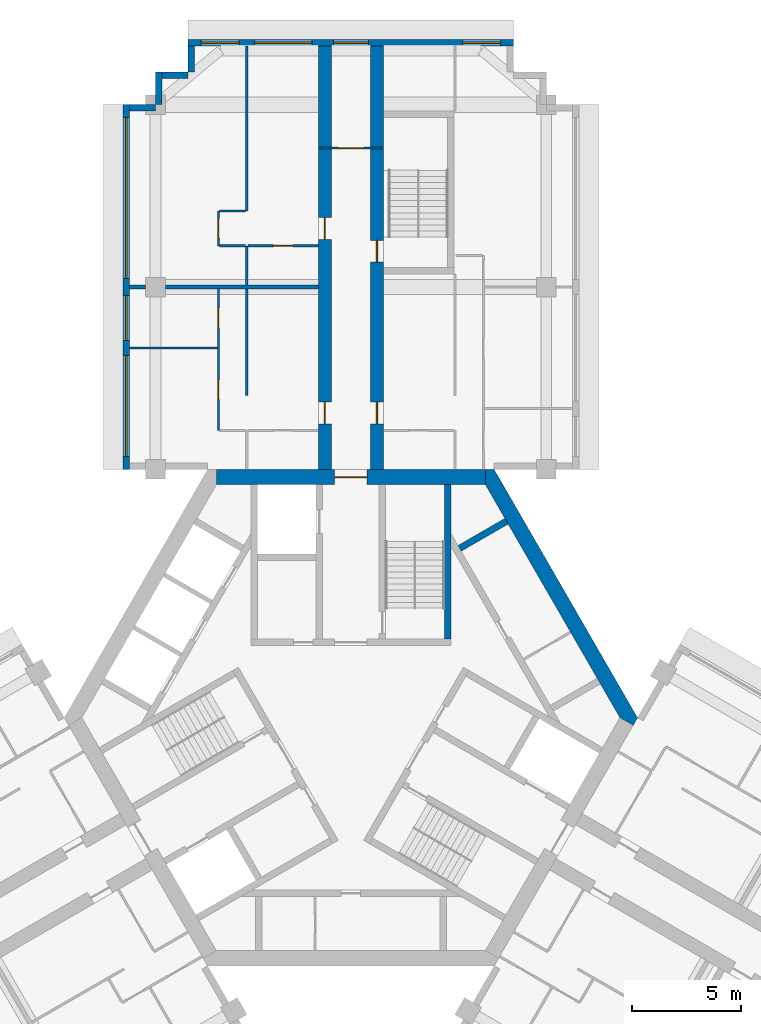
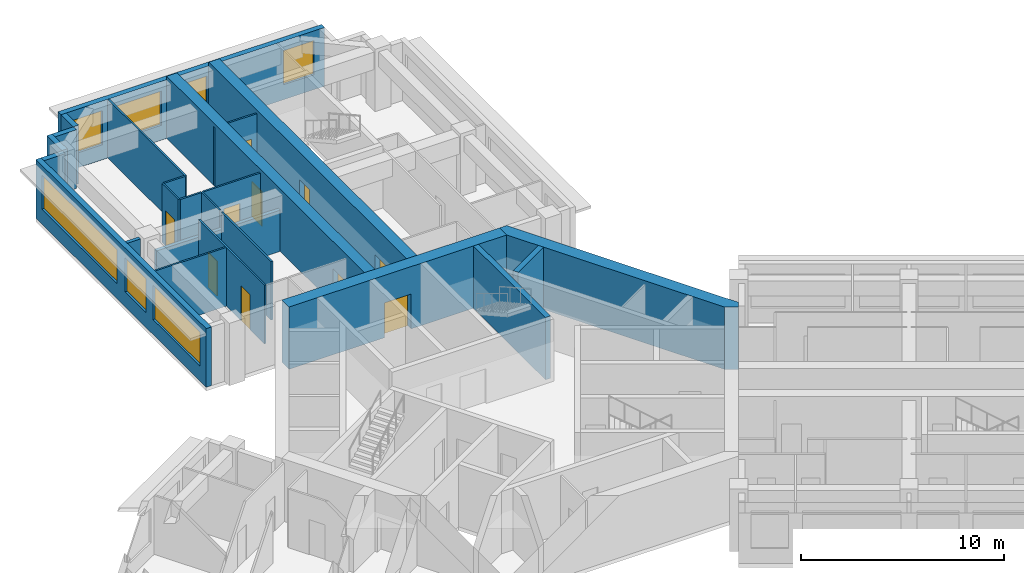
# One storey, part 7 of 10: 24 walls, 10 doors, 7 windows, 17 openings.
"""IFC4 building model written with IfcOpenShell, lengths in metres."""

from ifc_helpers import new_model, si_unit, direction, frame, frame_2d, origin, place, context, subcontext, project, spatial, polyline, rectangle, outline, extrude, material, layer, layer_set, type_object, element, fill, save


model = new_model("IFC4")

# Units and contexts
model_context = context("Model", 3, precision=1e-05, world=origin(), true_north=direction((0.0, 1.0)))
body_context = subcontext(model_context, "Body", "Model", "MODEL_VIEW")
ifc_project = project(units=[si_unit("LENGTHUNIT", "METRE"), si_unit("AREAUNIT", "SQUARE_METRE"), si_unit("VOLUMEUNIT", "CUBIC_METRE"), si_unit("PLANEANGLEUNIT", "RADIAN"), si_unit("MASSUNIT", "GRAM", prefix="KILO")], contexts=[model_context])

# Site, building, storey
site_placement = place(None, origin())
site = spatial("IfcSite", under=ifc_project, at=site_placement, CompositionType="ELEMENT")
building_placement = place(site_placement, origin())
building = spatial("IfcBuilding", under=site, at=building_placement, Name="Impinga Residences", CompositionType="ELEMENT")
storey_placement = place(building_placement, frame((0.0, 0.0, 226.0)))
storey = spatial("IfcBuildingStorey", under=building, at=storey_placement, Name="L56", CompositionType="ELEMENT", Elevation=226.0)

# Wall, openings, doors
ifc_material_1 = material(Name="Concrete C60/75", Category="concrete")
ifc_layer_1 = layer(ifc_material_1, 0.60009765625)
ifc_layer_set_1 = layer_set([ifc_layer_1], Name="Concrete C60/75")
wall_type_1 = type_object("IfcWallType", Name="BW3 corridor buttress wall, L46 to L73 600", PredefinedType="SHEAR", material=ifc_layer_set_1)
wall_1_placement = place(storey_placement, frame((-1.199951171875, 11.08154296875, 0.0), z_axis=(0.0, 0.0, 1.0), x_axis=(0.0, 1.0, 0.0)))
wall_1 = element("IfcWall", 1, at=wall_1_placement, inside=storey, type_object=wall_type_1, Name="Corridor wall BW3 NC L56", PredefinedType="SHEAR", context=body_context, shape_type="SweptSolid", body=[
    extrude(rectangle(XDim=19.85009765625, YDim=0.60009765625, at=frame_2d((9.925048828125, 0.0))), origin(), (0.0, 0.0, 1.0), 3.75),
])
opening_1_placement = place(wall_1_placement, frame((2.449951171875, 0.0, 0.0)))
opening_1 = element("IfcOpeningElement", 2, at=opening_1_placement, cuts=wall_1, Name="Opening D1", PredefinedType="OPENING", context=body_context, shape_type="SweptSolid", body=[
    extrude(rectangle(XDim=1.0, YDim=2.10009765625, at=frame_2d((0.5, 1.050048828125))), frame((0.0, 0.31005859375, 0.0), z_axis=(0.0, -1.0, 0.0), x_axis=(1.0, 0.0, 0.0)), (0.0, 0.0, 1.0), 0.6201171875),
])
opening_2_placement = place(wall_1_placement, frame((10.949951171875, 0.0, 0.0)))
opening_2 = element("IfcOpeningElement", 3, at=opening_2_placement, cuts=wall_1, Name="Opening D1", PredefinedType="OPENING", context=body_context, shape_type="SweptSolid", body=[
    extrude(rectangle(XDim=1.0, YDim=2.10009765625, at=frame_2d((0.5, 1.050048828125))), frame((0.0, 0.31005859375, 0.0), z_axis=(0.0, -1.0, 0.0), x_axis=(1.0, 0.0, 0.0)), (0.0, 0.0, 1.0), 0.6201171875),
])
ifc_material_2 = material(Name="Timber door set", Category="wood")
door_type_1 = type_object("IfcDoorType", Name="D1 apartment entrance door 1000x2100", OperationType="SINGLE_SWING_LEFT", PredefinedType="DOOR", material=ifc_material_2)
door_1_placement = place(opening_1_placement, origin())
door_1 = element("IfcDoor", 4, at=door_1_placement, inside=storey, type_object=door_type_1, Name="Apartment L56-NA1 entrance", OperationType="SINGLE_SWING_LEFT", OverallHeight=2.10009765625, OverallWidth=1.0, PredefinedType="DOOR", context=body_context, shape_type="SweptSolid", body=[
    extrude(rectangle(XDim=1.0, YDim=2.10009765625, at=frame_2d((0.5, 1.050048828125))), frame((0.0, 0.02490234375, 0.0), z_axis=(0.0, -1.0, 0.0), x_axis=(1.0, 0.0, 0.0)), (0.0, 0.0, 1.0), 0.050048828125),
])
fill(opening_1, door_1)
door_2_placement = place(opening_2_placement, origin())
door_2 = element("IfcDoor", 5, at=door_2_placement, inside=storey, type_object=door_type_1, Name="Apartment L56-NA2 entrance", OperationType="SINGLE_SWING_RIGHT", OverallHeight=2.10009765625, OverallWidth=1.0, PredefinedType="DOOR", context=body_context, shape_type="SweptSolid", body=[
    extrude(rectangle(XDim=1.0, YDim=2.10009765625, at=frame_2d((0.5, 1.050048828125))), frame((0.0, 0.02490234375, 0.0), z_axis=(0.0, -1.0, 0.0), x_axis=(1.0, 0.0, 0.0)), (0.0, 0.0, 1.0), 0.050048828125),
])
fill(opening_2, door_2)

wall_2_placement = place(storey_placement, frame((1.199951171875, 11.08154296875, 0.0), z_axis=(0.0, 0.0, 1.0), x_axis=(0.0, 1.0, 0.0)))
wall_2 = element("IfcWall", 6, at=wall_2_placement, inside=storey, type_object=wall_type_1, Name="Corridor wall BW3 ND L56", PredefinedType="SHEAR", context=body_context, shape_type="SweptSolid", body=[
    extrude(rectangle(XDim=19.85009765625, YDim=0.60009765625, at=frame_2d((9.925048828125, 0.0))), origin(), (0.0, 0.0, 1.0), 3.75),
])
opening_3_placement = place(wall_2_placement, frame((9.89990234375, 0.0, 0.0)))
opening_3 = element("IfcOpeningElement", 7, at=opening_3_placement, cuts=wall_2, Name="Opening D5", PredefinedType="OPENING", context=body_context, shape_type="SweptSolid", body=[
    extrude(rectangle(XDim=1.0, YDim=2.10009765625, at=frame_2d((0.5, 1.050048828125))), frame((0.0, 0.31005859375, 0.0), z_axis=(0.0, -1.0, 0.0), x_axis=(1.0, 0.0, 0.0)), (0.0, 0.0, 1.0), 0.6201171875),
])
opening_4_placement = place(wall_2_placement, frame((2.449951171875, 0.0, 0.0)))
opening_4 = element("IfcOpeningElement", 8, at=opening_4_placement, cuts=wall_2, Name="Opening D1", PredefinedType="OPENING", context=body_context, shape_type="SweptSolid", body=[
    extrude(rectangle(XDim=1.0, YDim=2.10009765625, at=frame_2d((0.5, 1.050048828125))), frame((0.0, 0.31005859375, 0.0), z_axis=(0.0, -1.0, 0.0), x_axis=(1.0, 0.0, 0.0)), (0.0, 0.0, 1.0), 0.6201171875),
])
door_3_placement = place(opening_4_placement, origin())
door_3 = element("IfcDoor", 9, at=door_3_placement, inside=storey, type_object=door_type_1, Name="Apartment L56-NF1 entrance", OperationType="SINGLE_SWING_LEFT", OverallHeight=2.10009765625, OverallWidth=1.0, PredefinedType="DOOR", context=body_context, shape_type="SweptSolid", body=[
    extrude(rectangle(XDim=1.0, YDim=2.10009765625, at=frame_2d((0.5, 1.050048828125))), frame((0.0, 0.02490234375, 0.0), z_axis=(0.0, -1.0, 0.0), x_axis=(1.0, 0.0, 0.0)), (0.0, 0.0, 1.0), 0.050048828125),
])
fill(opening_4, door_3)
door_type_2 = type_object("IfcDoorType", Name="D5 stair door 1000x2100", OperationType="SINGLE_SWING_LEFT", PredefinedType="DOOR", material=ifc_material_2)
door_4_placement = place(opening_3_placement, origin())
door_4 = element("IfcDoor", 10, at=door_4_placement, inside=storey, type_object=door_type_2, Name="Wing stair door N", OperationType="SINGLE_SWING_RIGHT", OverallHeight=2.10009765625, OverallWidth=1.0, PredefinedType="DOOR", context=body_context, shape_type="SweptSolid", body=[
    extrude(rectangle(XDim=1.0, YDim=2.10009765625, at=frame_2d((0.5, 1.050048828125))), frame((0.0, 0.02490234375, 0.0), z_axis=(0.0, -1.0, 0.0), x_axis=(1.0, 0.0, 0.0)), (0.0, 0.0, 1.0), 0.050048828125),
])
fill(opening_3, door_4)

# Wall, opening, door
ifc_material_3 = material(Name="Concrete blockwork", Category="masonry")
ifc_layer_2 = layer(ifc_material_3, 0.10009765625)
ifc_layer_set_2 = layer_set([ifc_layer_2], Name="CP1 core room partition, blockwork 100")
wall_type_2 = type_object("IfcWallType", Name="CP1 core room partition, blockwork 100", PredefinedType="PARTITIONING", material=ifc_layer_set_2)
wall_3_placement = place(storey_placement, frame((-1.5, 26.2314453125, 0.0), z_axis=(0.0, 0.0, 1.0), x_axis=(1.0, 0.0, 0.0)))
wall_3 = element("IfcWall", 11, at=wall_3_placement, inside=storey, type_object=wall_type_2, Name="Core room partition, blockwork L56:N:LNG", PredefinedType="PARTITIONING", context=body_context, shape_type="SweptSolid", body=[
    extrude(rectangle(XDim=3.0, YDim=0.10009765625, at=frame_2d((1.5, 0.0))), origin(), (0.0, 0.0, 1.0), 3.530029296875),
])
opening_5_placement = place(wall_3_placement, frame((0.89990234375, 0.0, 0.0)))
opening_5 = element("IfcOpeningElement", 12, at=opening_5_placement, cuts=wall_3, Name="Opening D3", PredefinedType="OPENING", context=body_context, shape_type="SweptSolid", body=[
    extrude(rectangle(XDim=1.199951171875, YDim=2.10009765625, at=frame_2d((0.60009765625, 1.050048828125))), frame((0.0, 0.06005859375, 0.0), z_axis=(0.0, -1.0, 0.0), x_axis=(1.0, 0.0, 0.0)), (0.0, 0.0, 1.0), 0.1201171875),
])
door_type_3 = type_object("IfcDoorType", Name="D3 room door, leaf and a half 1200x2100", OperationType="DOUBLE_SWING_LEFT", PredefinedType="DOOR", material=ifc_material_2)
door_5_placement = place(opening_5_placement, origin())
door_5 = element("IfcDoor", 13, at=door_5_placement, inside=storey, type_object=door_type_3, Name="Residents' lounge door N", OperationType="DOUBLE_SWING_LEFT", OverallHeight=2.10009765625, OverallWidth=1.199951171875, PredefinedType="DOOR", context=body_context, shape_type="SweptSolid", body=[
    extrude(rectangle(XDim=1.199951171875, YDim=2.10009765625, at=frame_2d((0.60009765625, 1.050048828125))), frame((0.0, 0.02490234375, 0.0), z_axis=(0.0, -1.0, 0.0), x_axis=(1.0, 0.0, 0.0)), (0.0, 0.0, 1.0), 0.050048828125),
])
fill(opening_5, door_5)

# Wall, openings, windows
ifc_material_4 = material(Name="Terracotta rainscreen on blockwork", Category="masonry")
ifc_layer_3 = layer(ifc_material_4, 0.300048828125)
ifc_layer_set_3 = layer_set([ifc_layer_3], Name="EW1 external wall, terracotta rainscreen on blockwork 300")
wall_type_3 = type_object("IfcWallType", Name="EW1 external wall, terracotta rainscreen on blockwork 300", PredefinedType="SOLIDWALL", material=ifc_layer_set_3)
wall_4_placement = place(storey_placement, frame((-10.35009765625, 11.431640625, 0.0), z_axis=(0.0, 0.0, 1.0), x_axis=(0.0, 1.0, 0.0)))
wall_4 = element("IfcWall", 14, at=wall_4_placement, inside=storey, type_object=wall_type_3, Name="External wall EW1 L56", PredefinedType="SOLIDWALL", context=body_context, shape_type="SweptSolid", body=[
    extrude(rectangle(XDim=16.7998046875, YDim=0.300048828125, at=frame_2d((8.39990234375, 0.0))), origin(), (0.0, 0.0, 1.0), 3.530029296875),
])
opening_6_placement = place(wall_4_placement, frame((0.60009765625, 0.0, 0.89990234375)))
opening_6 = element("IfcOpeningElement", 15, at=opening_6_placement, cuts=wall_4, Name="Opening W10", PredefinedType="OPENING", context=body_context, shape_type="SweptSolid", body=[
    extrude(rectangle(XDim=4.64990234375, YDim=2.050048828125, at=frame_2d((2.324951171875, 1.02490234375))), frame((0.0, 0.159912109375, 0.0), z_axis=(0.0, -1.0, 0.0), x_axis=(1.0, 0.0, 0.0)), (0.0, 0.0, 1.0), 0.320068359375),
])
opening_7_placement = place(wall_4_placement, frame((5.949951171875, 0.0, 0.89990234375)))
opening_7 = element("IfcOpeningElement", 16, at=opening_7_placement, cuts=wall_4, Name="Opening W14", PredefinedType="OPENING", context=body_context, shape_type="SweptSolid", body=[
    extrude(rectangle(XDim=2.050048828125, YDim=2.050048828125, at=frame_2d((1.02490234375, 1.02490234375))), frame((0.0, 0.159912109375, 0.0), z_axis=(0.0, -1.0, 0.0), x_axis=(1.0, 0.0, 0.0)), (0.0, 0.0, 1.0), 0.320068359375),
])
opening_8_placement = place(wall_4_placement, frame((8.800048828125, 0.0, 0.89990234375)))
opening_8 = element("IfcOpeningElement", 17, at=opening_8_placement, cuts=wall_4, Name="Opening W12", PredefinedType="OPENING", context=body_context, shape_type="SweptSolid", body=[
    extrude(rectangle(XDim=7.39990234375, YDim=2.050048828125, at=frame_2d((3.699951171875, 1.02490234375))), frame((0.0, 0.159912109375, 0.0), z_axis=(0.0, -1.0, 0.0), x_axis=(1.0, 0.0, 0.0)), (0.0, 0.0, 1.0), 0.320068359375),
])
ifc_material_5 = material(Name="Aluminium window, clear double glazing", Category="aluminium")
window_type_1 = type_object("IfcWindowType", Name="W10 ribbon window 4650x2050", PartitioningType="SINGLE_PANEL", PredefinedType="WINDOW", material=ifc_material_5)
window_1_placement = place(opening_6_placement, origin())
window_1 = element("IfcWindow", 18, at=window_1_placement, inside=storey, type_object=window_type_1, Name="Window L56", OverallHeight=2.050048828125, OverallWidth=4.64990234375, PartitioningType="SINGLE_PANEL", PredefinedType="WINDOW", context=body_context, shape_type="SweptSolid", body=[
    extrude(rectangle(XDim=4.64990234375, YDim=2.050048828125, at=frame_2d((2.324951171875, 1.02490234375))), frame((0.0, 0.030029296875, 0.0), z_axis=(0.0, -1.0, 0.0), x_axis=(1.0, 0.0, 0.0)), (0.0, 0.0, 1.0), 0.06005859375),
])
fill(opening_6, window_1)
window_type_2 = type_object("IfcWindowType", Name="W12 ribbon window 7400x2050", PartitioningType="SINGLE_PANEL", PredefinedType="WINDOW", material=ifc_material_5)
window_2_placement = place(opening_8_placement, origin())
window_2 = element("IfcWindow", 19, at=window_2_placement, inside=storey, type_object=window_type_2, Name="Window L56", OverallHeight=2.050048828125, OverallWidth=7.39990234375, PartitioningType="SINGLE_PANEL", PredefinedType="WINDOW", context=body_context, shape_type="SweptSolid", body=[
    extrude(rectangle(XDim=7.39990234375, YDim=2.050048828125, at=frame_2d((3.699951171875, 1.02490234375))), frame((0.0, 0.030029296875, 0.0), z_axis=(0.0, -1.0, 0.0), x_axis=(1.0, 0.0, 0.0)), (0.0, 0.0, 1.0), 0.06005859375),
])
fill(opening_8, window_2)
window_type_3 = type_object("IfcWindowType", Name="W14 ribbon window 2050x2050", PartitioningType="SINGLE_PANEL", PredefinedType="WINDOW", material=ifc_material_5)
window_3_placement = place(opening_7_placement, origin())
window_3 = element("IfcWindow", 20, at=window_3_placement, inside=storey, type_object=window_type_3, Name="Window L56", OverallHeight=2.050048828125, OverallWidth=2.050048828125, PartitioningType="SINGLE_PANEL", PredefinedType="WINDOW", context=body_context, shape_type="SweptSolid", body=[
    extrude(rectangle(XDim=2.050048828125, YDim=2.050048828125, at=frame_2d((1.02490234375, 1.02490234375))), frame((0.0, 0.030029296875, 0.0), z_axis=(0.0, -1.0, 0.0), x_axis=(1.0, 0.0, 0.0)), (0.0, 0.0, 1.0), 0.06005859375),
])
fill(opening_7, window_3)

# Walls
wall_5_placement = place(storey_placement, frame((-10.199951171875, 28.08154296875, 0.0), z_axis=(0.0, 0.0, 1.0), x_axis=(1.0, 0.0, 0.0)))
element("IfcWall", 21, at=wall_5_placement, inside=storey, type_object=wall_type_3, Name="External wall EW1 L56", PredefinedType="SOLIDWALL", context=body_context, shape_type="SweptSolid", body=[
    extrude(rectangle(XDim=1.199951171875, YDim=0.300048828125, at=frame_2d((0.60009765625, 0.0))), origin(), (0.0, 0.0, 1.0), 3.530029296875),
])
wall_6_placement = place(storey_placement, frame((-8.85009765625, 28.236572265625, 0.0), z_axis=(0.0, 0.0, 1.0), x_axis=(0.0, 1.0, 0.0)))
element("IfcWall", 22, at=wall_6_placement, inside=storey, type_object=wall_type_3, Name="External wall EW1 L56", PredefinedType="SOLIDWALL", context=body_context, shape_type="SweptSolid", body=[
    extrude(rectangle(XDim=1.494873046875, YDim=0.300048828125, at=frame_2d((0.74755859375, 0.0))), origin(), (0.0, 0.0, 1.0), 3.530029296875),
])
wall_7_placement = place(storey_placement, frame((-8.699951171875, 29.58154296875, 0.0), z_axis=(0.0, 0.0, 1.0), x_axis=(1.0, 0.0, 0.0)))
element("IfcWall", 23, at=wall_7_placement, inside=storey, type_object=wall_type_3, Name="External wall EW1 L56", PredefinedType="SOLIDWALL", context=body_context, shape_type="SweptSolid", body=[
    extrude(rectangle(XDim=1.199951171875, YDim=0.300048828125, at=frame_2d((0.60009765625, 0.0))), origin(), (0.0, 0.0, 1.0), 3.530029296875),
])
wall_8_placement = place(storey_placement, frame((-7.35009765625, 29.736572265625, 0.0), z_axis=(0.0, 0.0, 1.0), x_axis=(0.0, 1.0, 0.0)))
element("IfcWall", 24, at=wall_8_placement, inside=storey, type_object=wall_type_3, Name="External wall EW1 L56", PredefinedType="SOLIDWALL", context=body_context, shape_type="SweptSolid", body=[
    extrude(rectangle(XDim=1.195068359375, YDim=0.300048828125, at=frame_2d((0.59765625, 0.0))), origin(), (0.0, 0.0, 1.0), 3.530029296875),
])

# Wall, openings, windows
wall_9_placement = place(storey_placement, frame((-7.5, 31.08154296875, 0.0), z_axis=(0.0, 0.0, 1.0), x_axis=(1.0, 0.0, 0.0)))
wall_9 = element("IfcWall", 25, at=wall_9_placement, inside=storey, type_object=wall_type_3, Name="External wall EW1 L56", PredefinedType="SOLIDWALL", context=body_context, shape_type="SweptSolid", body=[
    extrude(rectangle(XDim=15.0, YDim=0.300048828125, at=frame_2d((7.5, 0.0))), origin(), (0.0, 0.0, 1.0), 3.530029296875),
])
opening_9_placement = place(wall_9_placement, frame((0.60009765625, 0.0, 0.89990234375)))
opening_9 = element("IfcOpeningElement", 26, at=opening_9_placement, cuts=wall_9, Name="Opening W1", PredefinedType="OPENING", context=body_context, shape_type="SweptSolid", body=[
    extrude(rectangle(XDim=1.75, YDim=2.050048828125, at=frame_2d((0.875, 1.02490234375))), frame((0.0, 0.159912109375, 0.0), z_axis=(0.0, -1.0, 0.0), x_axis=(1.0, 0.0, 0.0)), (0.0, 0.0, 1.0), 0.320068359375),
])
opening_10_placement = place(wall_9_placement, frame((3.050048828125, 0.0, 0.89990234375)))
opening_10 = element("IfcOpeningElement", 27, at=opening_10_placement, cuts=wall_9, Name="Opening W18", PredefinedType="OPENING", context=body_context, shape_type="SweptSolid", body=[
    extrude(rectangle(XDim=2.64990234375, YDim=2.050048828125, at=frame_2d((1.324951171875, 1.02490234375))), frame((0.0, 0.159912109375, 0.0), z_axis=(0.0, -1.0, 0.0), x_axis=(1.0, 0.0, 0.0)), (0.0, 0.0, 1.0), 0.320068359375),
])
opening_11_placement = place(wall_9_placement, frame((6.699951171875, 0.0, 0.89990234375)))
opening_11 = element("IfcOpeningElement", 28, at=opening_11_placement, cuts=wall_9, Name="Opening W19", PredefinedType="OPENING", context=body_context, shape_type="SweptSolid", body=[
    extrude(rectangle(XDim=1.60009765625, YDim=2.050048828125, at=frame_2d((0.800048828125, 1.02490234375))), frame((0.0, 0.159912109375, 0.0), z_axis=(0.0, -1.0, 0.0), x_axis=(1.0, 0.0, 0.0)), (0.0, 0.0, 1.0), 0.320068359375),
])
opening_12_placement = place(wall_9_placement, frame((12.64990234375, 0.0, 0.89990234375)))
opening_12 = element("IfcOpeningElement", 29, at=opening_12_placement, cuts=wall_9, Name="Opening W1", PredefinedType="OPENING", context=body_context, shape_type="SweptSolid", body=[
    extrude(rectangle(XDim=1.75, YDim=2.050048828125, at=frame_2d((0.875, 1.02490234375))), frame((0.0, 0.159912109375, 0.0), z_axis=(0.0, -1.0, 0.0), x_axis=(1.0, 0.0, 0.0)), (0.0, 0.0, 1.0), 0.320068359375),
])
window_type_4 = type_object("IfcWindowType", Name="W1 ribbon window 1750x2050", PartitioningType="SINGLE_PANEL", PredefinedType="WINDOW", material=ifc_material_5)
window_4_placement = place(opening_9_placement, origin())
window_4 = element("IfcWindow", 30, at=window_4_placement, inside=storey, type_object=window_type_4, Name="Window L56", OverallHeight=2.050048828125, OverallWidth=1.75, PartitioningType="SINGLE_PANEL", PredefinedType="WINDOW", context=body_context, shape_type="SweptSolid", body=[
    extrude(rectangle(XDim=1.75, YDim=2.050048828125, at=frame_2d((0.875, 1.02490234375))), frame((0.0, 0.030029296875, 0.0), z_axis=(0.0, -1.0, 0.0), x_axis=(1.0, 0.0, 0.0)), (0.0, 0.0, 1.0), 0.06005859375),
])
fill(opening_9, window_4)
window_5_placement = place(opening_12_placement, origin())
window_5 = element("IfcWindow", 31, at=window_5_placement, inside=storey, type_object=window_type_4, Name="Window L56", OverallHeight=2.050048828125, OverallWidth=1.75, PartitioningType="SINGLE_PANEL", PredefinedType="WINDOW", context=body_context, shape_type="SweptSolid", body=[
    extrude(rectangle(XDim=1.75, YDim=2.050048828125, at=frame_2d((0.875, 1.02490234375))), frame((0.0, 0.030029296875, 0.0), z_axis=(0.0, -1.0, 0.0), x_axis=(1.0, 0.0, 0.0)), (0.0, 0.0, 1.0), 0.06005859375),
])
fill(opening_12, window_5)
window_type_5 = type_object("IfcWindowType", Name="W18 ribbon window 2650x2050", PartitioningType="SINGLE_PANEL", PredefinedType="WINDOW", material=ifc_material_5)
window_6_placement = place(opening_10_placement, origin())
window_6 = element("IfcWindow", 32, at=window_6_placement, inside=storey, type_object=window_type_5, Name="Window L56", OverallHeight=2.050048828125, OverallWidth=2.64990234375, PartitioningType="SINGLE_PANEL", PredefinedType="WINDOW", context=body_context, shape_type="SweptSolid", body=[
    extrude(rectangle(XDim=2.64990234375, YDim=2.050048828125, at=frame_2d((1.324951171875, 1.02490234375))), frame((0.0, 0.030029296875, 0.0), z_axis=(0.0, -1.0, 0.0), x_axis=(1.0, 0.0, 0.0)), (0.0, 0.0, 1.0), 0.06005859375),
])
fill(opening_10, window_6)
window_type_6 = type_object("IfcWindowType", Name="W19 ribbon window 1600x2050", PartitioningType="SINGLE_PANEL", PredefinedType="WINDOW", material=ifc_material_5)
window_7_placement = place(opening_11_placement, origin())
window_7 = element("IfcWindow", 33, at=window_7_placement, inside=storey, type_object=window_type_6, Name="Window L56", OverallHeight=2.050048828125, OverallWidth=1.60009765625, PartitioningType="SINGLE_PANEL", PredefinedType="WINDOW", context=body_context, shape_type="SweptSolid", body=[
    extrude(rectangle(XDim=1.60009765625, YDim=2.050048828125, at=frame_2d((0.800048828125, 1.02490234375))), frame((0.0, 0.030029296875, 0.0), z_axis=(0.0, -1.0, 0.0), x_axis=(1.0, 0.0, 0.0)), (0.0, 0.0, 1.0), 0.06005859375),
])
fill(opening_11, window_7)

# Wall
ifc_material_6 = material(Name="Gypsum board on steel studs", Category="steel")
ifc_layer_4 = layer(ifc_material_6, 0.10009765625)
ifc_layer_set_4 = layer_set([ifc_layer_4], Name="Gypsum board on steel studs")
wall_type_4 = type_object("IfcWallType", Name="IP1 partition 100", PredefinedType="PARTITIONING", material=ifc_layer_set_4)
wall_10_placement = place(storey_placement, frame((-4.800048828125, 14.83154296875, 0.0), z_axis=(0.0, 0.0, 1.0), x_axis=(0.0, 1.0, 0.0)))
element("IfcWall", 34, at=wall_10_placement, inside=storey, type_object=wall_type_4, Name="Partition L56-NA1:DIV1", PredefinedType="PARTITIONING", context=body_context, shape_type="SweptSolid", body=[
    extrude(rectangle(XDim=4.89990234375, YDim=0.10009765625, at=frame_2d((2.449951171875, 0.0))), origin(), (0.0, 0.0, 1.0), 3.530029296875),
])

# Wall, openings, doors
wall_11_placement = place(storey_placement, frame((-6.10009765625, 13.2314453125, 0.0), z_axis=(0.0, 0.0, 1.0), x_axis=(0.0, 1.0, 0.0)))
wall_11 = element("IfcWall", 35, at=wall_11_placement, inside=storey, type_object=wall_type_4, Name="Partition L56-NA1:STRIP", PredefinedType="PARTITIONING", context=body_context, shape_type="SweptSolid", body=[
    extrude(rectangle(XDim=6.5, YDim=0.10009765625, at=frame_2d((3.25, 0.0))), origin(), (0.0, 0.0, 1.0), 3.530029296875),
])
opening_13_placement = place(wall_11_placement, frame((1.425048828125, 0.0, 0.0)))
opening_13 = element("IfcOpeningElement", 36, at=opening_13_placement, cuts=wall_11, Name="Opening D2", PredefinedType="OPENING", context=body_context, shape_type="SweptSolid", body=[
    extrude(rectangle(XDim=0.89990234375, YDim=2.10009765625, at=frame_2d((0.449951171875, 1.050048828125))), frame((0.0, 0.06005859375, 0.0), z_axis=(0.0, -1.0, 0.0), x_axis=(1.0, 0.0, 0.0)), (0.0, 0.0, 1.0), 0.1201171875),
])
opening_14_placement = place(wall_11_placement, frame((4.72509765625, 0.0, 0.0)))
opening_14 = element("IfcOpeningElement", 37, at=opening_14_placement, cuts=wall_11, Name="Opening D2", PredefinedType="OPENING", context=body_context, shape_type="SweptSolid", body=[
    extrude(rectangle(XDim=0.89990234375, YDim=2.10009765625, at=frame_2d((0.449951171875, 1.050048828125))), frame((0.0, 0.06005859375, 0.0), z_axis=(0.0, -1.0, 0.0), x_axis=(1.0, 0.0, 0.0)), (0.0, 0.0, 1.0), 0.1201171875),
])
door_type_4 = type_object("IfcDoorType", Name="D2 internal door 900x2100", OperationType="SINGLE_SWING_LEFT", PredefinedType="DOOR", material=ifc_material_2)
door_6_placement = place(opening_13_placement, origin())
door_6 = element("IfcDoor", 38, at=door_6_placement, inside=storey, type_object=door_type_4, Name="Apartment L56-NA1 room door", OperationType="SINGLE_SWING_LEFT", OverallHeight=2.10009765625, OverallWidth=0.89990234375, PredefinedType="DOOR", context=body_context, shape_type="SweptSolid", body=[
    extrude(rectangle(XDim=0.89990234375, YDim=2.10009765625, at=frame_2d((0.449951171875, 1.050048828125))), frame((0.0, 0.02490234375, 0.0), z_axis=(0.0, -1.0, 0.0), x_axis=(1.0, 0.0, 0.0)), (0.0, 0.0, 1.0), 0.050048828125),
])
fill(opening_13, door_6)
door_7_placement = place(opening_14_placement, origin())
door_7 = element("IfcDoor", 39, at=door_7_placement, inside=storey, type_object=door_type_4, Name="Apartment L56-NA1 room door", OperationType="SINGLE_SWING_RIGHT", OverallHeight=2.10009765625, OverallWidth=0.89990234375, PredefinedType="DOOR", context=body_context, shape_type="SweptSolid", body=[
    extrude(rectangle(XDim=0.89990234375, YDim=2.10009765625, at=frame_2d((0.449951171875, 1.050048828125))), frame((0.0, 0.02490234375, 0.0), z_axis=(0.0, -1.0, 0.0), x_axis=(1.0, 0.0, 0.0)), (0.0, 0.0, 1.0), 0.050048828125),
])
fill(opening_14, door_7)

# Walls
wall_12_placement = place(storey_placement, frame((-6.14990234375, 17.031494140625, 0.0), z_axis=(0.0, 0.0, 1.0), x_axis=(-1.0, 0.0, 0.0)))
element("IfcWall", 40, at=wall_12_placement, inside=storey, type_object=wall_type_4, Name="Partition L56-NA1:OB1", PredefinedType="PARTITIONING", context=body_context, shape_type="SweptSolid", body=[
    extrude(rectangle(XDim=4.050048828125, YDim=0.10009765625, at=frame_2d((2.02490234375, 0.0))), origin(), (0.0, 0.0, 1.0), 3.530029296875),
])
wall_13_placement = place(storey_placement, frame((-4.800048828125, 19.931640625, 0.0), z_axis=(0.0, 0.0, 1.0), x_axis=(0.0, 1.0, 0.0)))
element("IfcWall", 41, at=wall_13_placement, inside=storey, type_object=wall_type_4, Name="Partition L56-NA2:DIV0", PredefinedType="PARTITIONING", context=body_context, shape_type="SweptSolid", body=[
    extrude(rectangle(XDim=1.7998046875, YDim=0.10009765625, at=frame_2d((0.89990234375, 0.0))), origin(), (0.0, 0.0, 1.0), 3.530029296875),
])
wall_14_placement = place(storey_placement, frame((-4.800048828125, 23.33154296875, 0.0), z_axis=(0.0, 0.0, 1.0), x_axis=(0.0, 1.0, 0.0)))
element("IfcWall", 42, at=wall_14_placement, inside=storey, type_object=wall_type_4, Name="Partition L56-NA2:DIV1", PredefinedType="PARTITIONING", context=body_context, shape_type="SweptSolid", body=[
    extrude(rectangle(XDim=7.60009765625, YDim=0.10009765625, at=frame_2d((3.800048828125, 0.0))), origin(), (0.0, 0.0, 1.0), 3.530029296875),
])

# Wall, opening, door
wall_15_placement = place(storey_placement, frame((-6.10009765625, 21.7314453125, 0.0), z_axis=(0.0, 0.0, 1.0), x_axis=(0.0, 1.0, 0.0)))
wall_15 = element("IfcWall", 43, at=wall_15_placement, inside=storey, type_object=wall_type_4, Name="Partition L56-NA2:STRIP", PredefinedType="PARTITIONING", context=body_context, shape_type="SweptSolid", body=[
    extrude(rectangle(XDim=1.60009765625, YDim=0.10009765625, at=frame_2d((0.800048828125, 0.0))), origin(), (0.0, 0.0, 1.0), 3.530029296875),
])
opening_15_placement = place(wall_15_placement, frame((0.35009765625, 0.0, 0.0)))
opening_15 = element("IfcOpeningElement", 44, at=opening_15_placement, cuts=wall_15, Name="Opening D2", PredefinedType="OPENING", context=body_context, shape_type="SweptSolid", body=[
    extrude(rectangle(XDim=0.89990234375, YDim=2.10009765625, at=frame_2d((0.449951171875, 1.050048828125))), frame((0.0, 0.06005859375, 0.0), z_axis=(0.0, -1.0, 0.0), x_axis=(1.0, 0.0, 0.0)), (0.0, 0.0, 1.0), 0.1201171875),
])
door_8_placement = place(opening_15_placement, origin())
door_8 = element("IfcDoor", 45, at=door_8_placement, inside=storey, type_object=door_type_4, Name="Apartment L56-NA2 room door", OperationType="SINGLE_SWING_LEFT", OverallHeight=2.10009765625, OverallWidth=0.89990234375, PredefinedType="DOOR", context=body_context, shape_type="SweptSolid", body=[
    extrude(rectangle(XDim=0.89990234375, YDim=2.10009765625, at=frame_2d((0.449951171875, 1.050048828125))), frame((0.0, 0.02490234375, 0.0), z_axis=(0.0, -1.0, 0.0), x_axis=(1.0, 0.0, 0.0)), (0.0, 0.0, 1.0), 0.050048828125),
])
fill(opening_15, door_8)

# Walls
for number, where, z_axis, x_axis, name in (
    (46, (-4.85009765625, 21.7314453125, 0.0), (0.0, 0.0, 1.0), (-1.0, 0.0, 0.0), "Partition L56-NA2:SE0"),
    (47, (-4.85009765625, 23.33154296875, 0.0), (0.0, 0.0, 1.0), (-1.0, 0.0, 0.0), "Partition L56-NA2:SE1"),
):
    element("IfcWall", number, at=place(storey_placement, frame(where, z_axis=z_axis, x_axis=x_axis)), inside=storey, type_object=wall_type_4, Name=name, PredefinedType="PARTITIONING", context=body_context, shape_type="SweptSolid", body=[
        extrude(rectangle(XDim=1.199951171875, YDim=0.10009765625, at=frame_2d((0.60009765625, 0.0))), origin(), (0.0, 0.0, 1.0), 3.530029296875),
    ])

# Wall, opening, door
wall_16_placement = place(storey_placement, frame((-1.5, 21.7314453125, 0.0), z_axis=(0.0, 0.0, 1.0), x_axis=(-1.0, 0.0, 0.0)))
wall_16 = element("IfcWall", 48, at=wall_16_placement, inside=storey, type_object=wall_type_4, Name="Partition L56-NA2:IB1", PredefinedType="PARTITIONING", context=body_context, shape_type="SweptSolid", body=[
    extrude(rectangle(XDim=3.25, YDim=0.10009765625, at=frame_2d((1.625, 0.0))), origin(), (0.0, 0.0, 1.0), 3.530029296875),
])
opening_16_placement = place(wall_16_placement, frame((1.175048828125, 0.0, 0.0)))
opening_16 = element("IfcOpeningElement", 49, at=opening_16_placement, cuts=wall_16, Name="Opening D2", PredefinedType="OPENING", context=body_context, shape_type="SweptSolid", body=[
    extrude(rectangle(XDim=0.89990234375, YDim=2.10009765625, at=frame_2d((0.449951171875, 1.050048828125))), frame((0.0, 0.06005859375, 0.0), z_axis=(0.0, -1.0, 0.0), x_axis=(1.0, 0.0, 0.0)), (0.0, 0.0, 1.0), 0.1201171875),
])
door_9_placement = place(opening_16_placement, origin())
door_9 = element("IfcDoor", 50, at=door_9_placement, inside=storey, type_object=door_type_4, Name="Apartment L56-NA2 bathroom door", OperationType="SINGLE_SWING_LEFT", OverallHeight=2.10009765625, OverallWidth=0.89990234375, PredefinedType="DOOR", context=body_context, shape_type="SweptSolid", body=[
    extrude(rectangle(XDim=0.89990234375, YDim=2.10009765625, at=frame_2d((0.449951171875, 1.050048828125))), frame((0.0, 0.02490234375, 0.0), z_axis=(0.0, -1.0, 0.0), x_axis=(1.0, 0.0, 0.0)), (0.0, 0.0, 1.0), 0.050048828125),
])
fill(opening_16, door_9)

# Walls
ifc_layer_5 = layer(ifc_material_3, 0.199951171875)
ifc_layer_set_5 = layer_set([ifc_layer_5], Name="PW1 party wall between apartments 200")
wall_type_5 = type_object("IfcWallType", Name="PW1 party wall between apartments 200", PredefinedType="SOLIDWALL", material=ifc_layer_set_5)
wall_17_placement = place(storey_placement, frame((-1.5, 19.83154296875, 0.0), z_axis=(0.0, 0.0, 1.0), x_axis=(-1.0, 0.0, 0.0)))
element("IfcWall", 51, at=wall_17_placement, inside=storey, type_object=wall_type_5, Name="Party wall between apartments L56-NA1:PARTY", PredefinedType="SOLIDWALL", context=body_context, shape_type="SweptSolid", body=[
    extrude(rectangle(XDim=7.050048828125, YDim=0.199951171875, at=frame_2d((3.52490234375, 0.0))), origin(), (0.0, 0.0, 1.0), 2.47998046875),
])
wall_18_placement = place(storey_placement, frame((-9.449951171875, 19.83154296875, 0.0), z_axis=(0.0, 0.0, 1.0), x_axis=(-1.0, 0.0, 0.0)))
element("IfcWall", 52, at=wall_18_placement, inside=storey, type_object=wall_type_5, Name="Party wall between apartments L56-NA1:PARTYb", PredefinedType="SOLIDWALL", context=body_context, shape_type="SweptSolid", body=[
    extrude(rectangle(XDim=0.75, YDim=0.199951171875, at=frame_2d((0.375, 0.0))), origin(), (0.0, 0.0, 1.0), 3.530029296875),
])

# Wall, opening, door
ifc_layer_6 = layer(ifc_material_1, 0.699951171875)
ifc_layer_set_6 = layer_set([ifc_layer_6], Name="Concrete C60/75")
wall_type_6 = type_object("IfcWallType", Name="SW3 core wall 700", PredefinedType="SHEAR", material=ifc_layer_set_6)
wall_19_placement = place(storey_placement, frame((-6.19580078125, 11.08154296875, 0.0), z_axis=(0.0, 0.0, 1.0), x_axis=(1.0, 0.0, 0.0)))
wall_19 = element("IfcWall", 53, at=wall_19_placement, inside=storey, type_object=wall_type_6, Name="Core wall SW3 N:FACE L56", PredefinedType="SHEAR", context=body_context, shape_type="SweptSolid", body=[
    extrude(rectangle(XDim=12.3916015625, YDim=0.699951171875, at=frame_2d((6.19580078125, 0.0))), origin(), (0.0, 0.0, 1.0), 3.75),
])
opening_17_placement = place(wall_19_placement, frame((5.44580078125, 0.0, 0.0)))
opening_17 = element("IfcOpeningElement", 54, at=opening_17_placement, cuts=wall_19, Name="Opening D4", PredefinedType="OPENING", context=body_context, shape_type="SweptSolid", body=[
    extrude(rectangle(XDim=1.5, YDim=2.10009765625, at=frame_2d((0.75, 1.050048828125))), frame((0.0, 0.35986328125, 0.0), z_axis=(0.0, -1.0, 0.0), x_axis=(1.0, 0.0, 0.0)), (0.0, 0.0, 1.0), 0.719970703125),
])
door_type_5 = type_object("IfcDoorType", Name="D4 lobby door pair 1500x2100", OperationType="DOUBLE_DOOR_DOUBLE_SWING", PredefinedType="DOOR", material=ifc_material_2)
door_10_placement = place(opening_17_placement, origin())
door_10 = element("IfcDoor", 55, at=door_10_placement, inside=storey, type_object=door_type_5, Name="Lobby door N", OperationType="DOUBLE_DOOR_DOUBLE_SWING", OverallHeight=2.10009765625, OverallWidth=1.5, PredefinedType="DOOR", context=body_context, shape_type="SweptSolid", body=[
    extrude(rectangle(XDim=1.5, YDim=2.10009765625, at=frame_2d((0.75, 1.050048828125))), frame((0.0, 0.02490234375, 0.0), z_axis=(0.0, -1.0, 0.0), x_axis=(1.0, 0.0, 0.0)), (0.0, 0.0, 1.0), 0.050048828125),
])
fill(opening_17, door_10)

# Walls
wall_20_placement = place(storey_placement, origin())
element("IfcWall", 56, at=wall_20_placement, inside=storey, type_object=wall_type_6, Name="Core wall SW3 W:EXPOSED L56", PredefinedType="SHEAR", context=body_context, shape_type="SweptSolid", body=[
    extrude(outline(polyline([(13.199951171875, 0.0), (6.60009765625, 11.431640625), (6.19580078125, 11.431640625), (6.19580078125, 10.7314453125), (12.3916015625, 0.0), (12.998046875, -0.35009765625), (13.199951171875, 0.0)])), origin(), (0.0, 0.0, 1.0), 3.75),
])
ifc_material_7 = material(Name="Concrete C70/85", Category="concrete")
ifc_layer_7 = layer(ifc_material_7, 0.300048828125)
ifc_layer_set_7 = layer_set([ifc_layer_7], Name="Concrete C70/85")
wall_type_7 = type_object("IfcWallType", Name="SW5 core inner wall, stairs, shafts and lobbies 300", PredefinedType="SHEAR", material=ifc_layer_set_7)
wall_21_placement = place(storey_placement, frame((4.449951171875, 3.6298828125, 0.0), z_axis=(0.0, 0.0, 1.0), x_axis=(0.0, 1.0, 0.0)))
element("IfcWall", 57, at=wall_21_placement, inside=storey, type_object=wall_type_7, Name="Core wall SW5 N:ST-OUT L56", PredefinedType="SHEAR", context=body_context, shape_type="SweptSolid", body=[
    extrude(rectangle(XDim=7.1015625, YDim=0.300048828125, at=frame_2d((3.55078125, 0.0))), origin(), (0.0, 0.0, 1.0), 3.75),
])
wall_22_placement = place(storey_placement, frame((5.003662109375, 7.79638671875, 0.0), z_axis=(0.0, 0.0, 1.0), x_axis=(0.866022959057, 0.500004234368, 0.0)))
element("IfcWall", 58, at=wall_22_placement, inside=storey, type_object=wall_type_7, Name="Core wall SW5 W:BANK-L L56", PredefinedType="SHEAR", context=body_context, shape_type="SweptSolid", body=[
    extrude(rectangle(XDim=2.5, YDim=0.300048828125, at=frame_2d((1.25, 0.0))), origin(), (0.0, 0.0, 1.0), 3.75),
])

save(model, "model.ifc")
